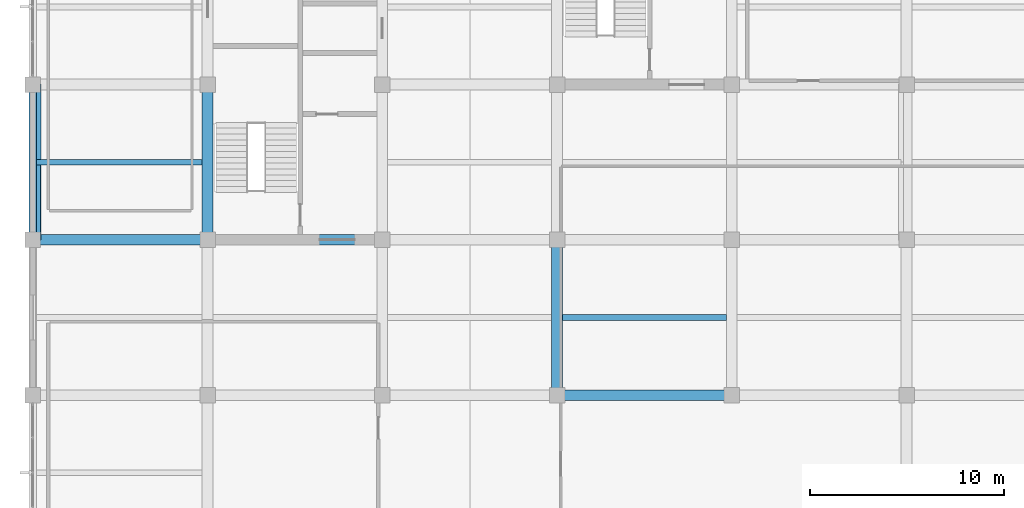
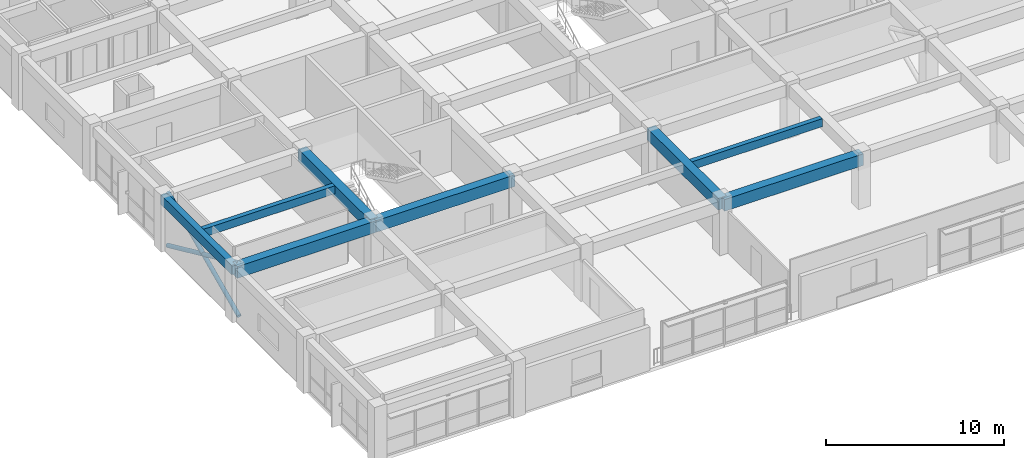
# One storey, part 3 of 16: 8 beams, 2 members.
"""IFC4 building model written with IfcOpenShell, lengths in metres."""

from ifc_helpers import new_model, si_unit, direction, frame, origin, origin_2d, place, context, subcontext, project, spatial, rectangle, hollow_circle, extrude, material, material_profile, profile_set, type_object, element, save


model = new_model("IFC4")

# Units and contexts
model_context = context("Model", 3, precision=1e-05, world=origin(), true_north=direction((0.0, 1.0)))
body_context = subcontext(model_context, "Body", "Model", "MODEL_VIEW")
ifc_project = project(units=[si_unit("LENGTHUNIT", "METRE"), si_unit("AREAUNIT", "SQUARE_METRE"), si_unit("VOLUMEUNIT", "CUBIC_METRE"), si_unit("PLANEANGLEUNIT", "RADIAN"), si_unit("MASSUNIT", "GRAM", prefix="KILO")], contexts=[model_context])

# Site, building, storey
site_placement = place(None, origin())
site = spatial("IfcSite", under=ifc_project, at=site_placement, CompositionType="ELEMENT")
building_placement = place(site_placement, origin())
building = spatial("IfcBuilding", under=site, at=building_placement, Name="Zaverband Oceanarium and Marine Research Institute", CompositionType="ELEMENT")
storey_placement = place(building_placement, frame((0.0, 0.0, 37.5)))
storey = spatial("IfcBuildingStorey", under=building, at=storey_placement, Name="L09", CompositionType="ELEMENT", Elevation=37.5)

# Beams
ifc_material_1 = material(Name="Concrete C40/50", Category="concrete")
ifc_material_profile_1 = material_profile(ifc_material_1, rectangle(XDim=0.550048828125, YDim=0.800048828125, at=origin_2d()), Name="RC550x800")
ifc_profile_set_1 = profile_set([ifc_material_profile_1], Name="Concrete C40/50")
beam_type_1 = type_object("IfcBeamType", Name="BM-550x800", PredefinedType="BEAM", material=ifc_profile_set_1)
for number, where, z_axis, x_axis, name in (
    (1, (36.0, 72.0, 3.25), (1.0, 0.0, 0.0), (0.0, 1.0, 0.0), "Primary floor girder BM-550x800"),
    (2, (9.0, 80.0, 3.25), (1.0, 0.0, 0.0), (0.0, 1.0, 0.0), "Primary floor girder BM-550x800"),
    (3, (18.0, 80.0, 3.25), (1.0, 0.0, 0.0), (0.0, 1.0, 0.0), "Primary floor girder BM-550x800"),
):
    element("IfcBeam", number, at=place(storey_placement, frame(where, z_axis=z_axis, x_axis=x_axis)), inside=storey, type_object=beam_type_1, Name=name, PredefinedType="BEAM", context=body_context, shape_type="SweptSolid", body=[
        extrude(rectangle(XDim=0.550048828125, YDim=0.800048828125, at=origin_2d()), origin(), (0.0, 0.0, 1.0), 9.0),
    ])
for number, where, z_axis, x_axis, name in (
    (4, (18.0, 80.0, 3.25), (0.0, 1.0, 0.0), (-1.0, 0.0, 0.0), "Primary floor girder BM-550x800"),
    (5, (36.0, 72.0, 3.25), (0.0, 1.0, 0.0), (-1.0, 0.0, 0.0), "Primary floor girder BM-550x800"),
):
    element("IfcBeam", number, at=place(storey_placement, frame(where, z_axis=z_axis, x_axis=x_axis)), inside=storey, type_object=beam_type_1, Name=name, PredefinedType="BEAM", context=body_context, shape_type="SweptSolid", body=[
        extrude(rectangle(XDim=0.550048828125, YDim=0.800048828125, at=origin_2d()), origin(), (0.0, 0.0, 1.0), 8.0),
    ])

# Members
ifc_material_2 = material(Name="Steel S355", Category="steel")
ifc_material_profile_2 = material_profile(ifc_material_2, hollow_circle(Radius=0.136474609375, WallThickness=0.010009765625, at=origin_2d()), Name="CHS273x10")
ifc_profile_set_2 = profile_set([ifc_material_profile_2], Name="Steel S355")
member_type = type_object("IfcMemberType", Name="BR-01", PredefinedType="BRACE", material=ifc_profile_set_2)
for number, where, z_axis, x_axis, name in (
    (6, (9.280029296875, 80.0, 0.0), (0.0, 0.909785572369, 0.415078561612), (-1.0, 0.0, 0.0), "Diagonal lateral brace BR-01"),
    (7, (9.280029296875, 88.0, 0.0), (0.0, -0.909785572369, 0.415078561612), (1.0, 0.0, 0.0), "Diagonal lateral brace BR-01"),
):
    element("IfcMember", number, at=place(storey_placement, frame(where, z_axis=z_axis, x_axis=x_axis)), inside=storey, type_object=member_type, Name=name, PredefinedType="BRACE", context=body_context, shape_type="SweptSolid", body=[
        extrude(hollow_circle(Radius=0.136474609375, WallThickness=0.010009765625, at=origin_2d()), origin(), (0.0, 0.0, 1.0), 8.793212890625),
    ])

# Beams
ifc_material_profile_3 = material_profile(ifc_material_1, rectangle(XDim=0.300048828125, YDim=0.550048828125, at=origin_2d()), Name="RC300x550")
ifc_profile_set_3 = profile_set([ifc_material_profile_3], Name="Concrete C40/50")
beam_type_2 = type_object("IfcBeamType", Name="JST-300x550", PredefinedType="JOIST", material=ifc_profile_set_3)
beam_1_placement = place(storey_placement, frame((9.199951171875, 84.0, 3.375), z_axis=(1.0, 0.0, 0.0), x_axis=(0.0, 1.0, 0.0)))
element("IfcBeam", 8, at=beam_1_placement, inside=storey, type_object=beam_type_2, Name="Secondary floor joist JST-300x550", PredefinedType="JOIST", context=body_context, shape_type="SweptSolid", body=[
    extrude(rectangle(XDim=0.300048828125, YDim=0.550048828125, at=origin_2d()), origin(), (0.0, 0.0, 1.0), 8.525146484375),
])
beam_2_placement = place(storey_placement, frame((36.27490234375, 76.0, 3.375), z_axis=(1.0, 0.0, 0.0), x_axis=(0.0, 1.0, 0.0)))
element("IfcBeam", 9, at=beam_2_placement, inside=storey, type_object=beam_type_2, Name="Secondary floor joist JST-300x550", PredefinedType="JOIST", context=body_context, shape_type="SweptSolid", body=[
    extrude(rectangle(XDim=0.300048828125, YDim=0.550048828125, at=origin_2d()), origin(), (0.0, 0.0, 1.0), 8.4501953125),
])
ifc_material_profile_4 = material_profile(ifc_material_1, rectangle(XDim=0.39990234375, YDim=0.64990234375, at=origin_2d()), Name="RC400x650")
ifc_profile_set_4 = profile_set([ifc_material_profile_4], Name="Concrete C40/50")
beam_type_3 = type_object("IfcBeamType", Name="SPN-400x650", PredefinedType="SPANDREL", material=ifc_profile_set_4)
beam_3_placement = place(storey_placement, frame((9.0, 80.0, 3.324951171875), z_axis=(0.0, 1.0, 0.0), x_axis=(-1.0, 0.0, 0.0)))
element("IfcBeam", 10, at=beam_3_placement, inside=storey, type_object=beam_type_3, Name="Perimeter spandrel beam SPN-400x650", PredefinedType="SPANDREL", context=body_context, shape_type="SweptSolid", body=[
    extrude(rectangle(XDim=0.39990234375, YDim=0.64990234375, at=origin_2d()), origin(), (0.0, 0.0, 1.0), 8.0),
])

save(model, "model.ifc")
